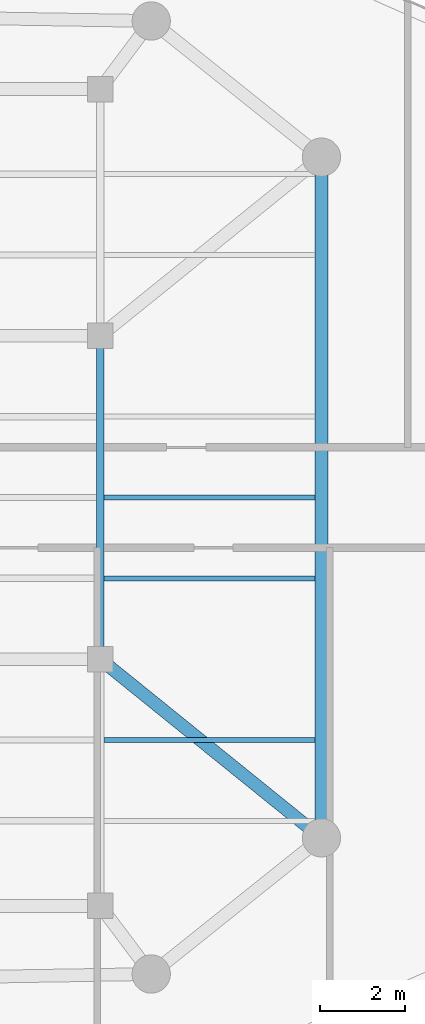
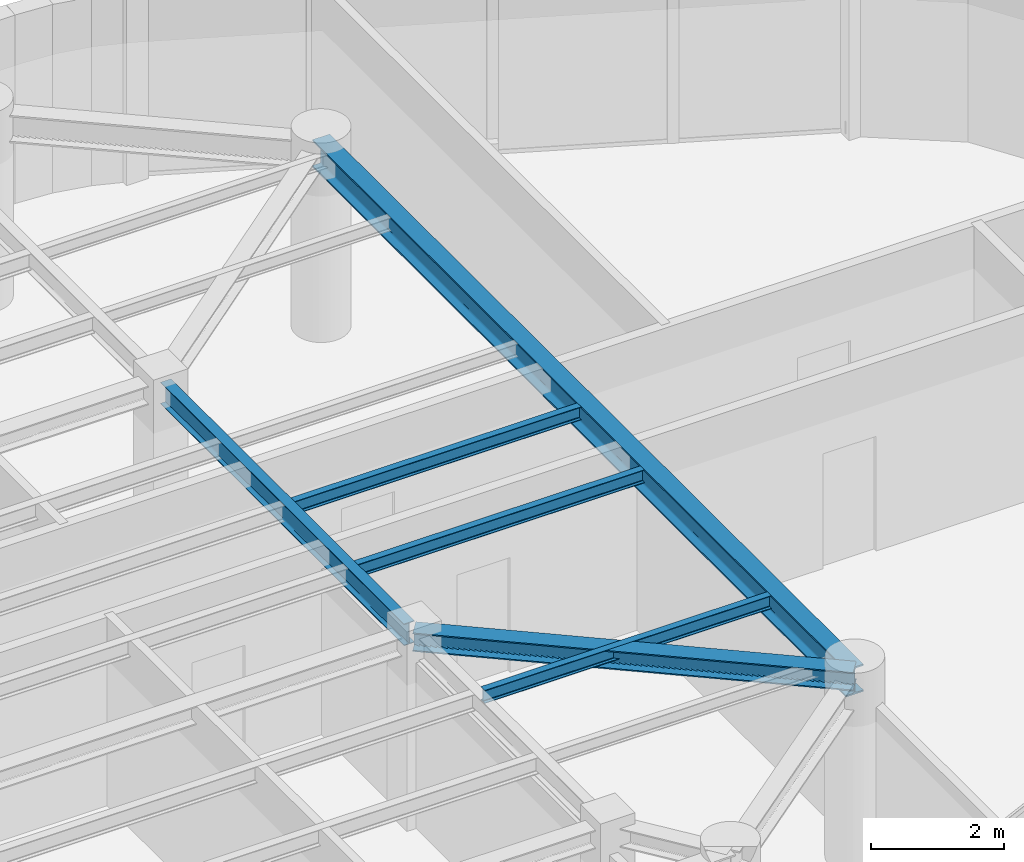
# One storey, part 3 of 14: 6 beams.
"""IFC4 building model written with IfcOpenShell, lengths in metres."""

from ifc_helpers import new_model, si_unit, direction, frame, origin, origin_2d, place, context, subcontext, project, spatial, i_section, extrude, material, material_profile, profile_set, type_object, element, save


model = new_model("IFC4")

# Units and contexts
model_context = context("Model", 3, precision=1e-05, world=origin(), true_north=direction((0.0, 1.0)))
body_context = subcontext(model_context, "Body", "Model", "MODEL_VIEW")
ifc_project = project(units=[si_unit("LENGTHUNIT", "METRE"), si_unit("AREAUNIT", "SQUARE_METRE"), si_unit("VOLUMEUNIT", "CUBIC_METRE"), si_unit("PLANEANGLEUNIT", "RADIAN"), si_unit("MASSUNIT", "GRAM", prefix="KILO")], contexts=[model_context])

# Site, building, storey
site_placement = place(None, origin())
site = spatial("IfcSite", under=ifc_project, at=site_placement, CompositionType="ELEMENT")
building_placement = place(site_placement, origin())
building = spatial("IfcBuilding", under=site, at=building_placement, Name="An Khanh Terracotta Commons", CompositionType="ELEMENT")
storey_placement = place(building_placement, frame((0.0, 0.0, 280.699951171875)))
storey = spatial("IfcBuildingStorey", under=building, at=storey_placement, Name="L73", CompositionType="ELEMENT", Elevation=280.699951171875)

# Beams
ifc_material = material(Name="Steel S355J2", Category="steel")
ifc_material_profile_1 = material_profile(ifc_material, i_section(OverallWidth=0.300048828125, OverallDepth=0.340087890625, WebThickness=0.011962890625, FlangeThickness=0.021484375, FilletRadius=0.027099609375, at=origin_2d()), Name="HEB340")
ifc_profile_set_1 = profile_set([ifc_material_profile_1], Name="Steel S355J2")
beam_type_1 = type_object("IfcBeamType", Name="BM-HEB340", PredefinedType="BEAM", material=ifc_profile_set_1)
beam_1_placement = place(storey_placement, frame((63.39990234375, 16.0, 3.280029296875), z_axis=(-0.777941866883, 0.628336256913, 0.0), x_axis=(-0.628336256913, -0.777941866883, 0.0)))
element("IfcBeam", 1, at=beam_1_placement, inside=storey, type_object=beam_type_1, Name="L73 Mega-Column Tie Girder 3", PredefinedType="BEAM", context=body_context, shape_type="SweptSolid", body=[
    extrude(i_section(OverallWidth=0.300048828125, OverallDepth=0.340087890625, WebThickness=0.011962890625, FlangeThickness=0.021484375, FilletRadius=0.027099609375, at=origin_2d()), origin(), (0.0, 0.0, 1.0), 6.684326171875),
])
ifc_material_profile_2 = material_profile(ifc_material, i_section(OverallWidth=0.300048828125, OverallDepth=0.5, WebThickness=0.014404296875, FlangeThickness=0.028076171875, FilletRadius=0.027099609375, at=origin_2d()), Name="HEB500")
ifc_profile_set_2 = profile_set([ifc_material_profile_2], Name="Steel S355J2")
beam_type_2 = type_object("IfcBeamType", Name="BM-HEB500", PredefinedType="BEAM", material=ifc_profile_set_2)
beam_2_placement = place(storey_placement, frame((63.39990234375, 16.0, 3.199951171875), z_axis=(0.0, 1.0, 0.0), x_axis=(-1.0, 0.0, 0.0)))
element("IfcBeam", 2, at=beam_2_placement, inside=storey, type_object=beam_type_2, Name="L73 Perimeter Ring Spandrel 3", PredefinedType="BEAM", context=body_context, shape_type="SweptSolid", body=[
    extrude(i_section(OverallWidth=0.300048828125, OverallDepth=0.5, WebThickness=0.014404296875, FlangeThickness=0.028076171875, FilletRadius=0.027099609375, at=origin_2d()), origin(), (0.0, 0.0, 1.0), 16.0),
])
ifc_material_profile_3 = material_profile(ifc_material, i_section(OverallWidth=0.1201171875, OverallDepth=0.239990234375, WebThickness=0.006103515625, FlangeThickness=0.009765625, FilletRadius=0.014892578125, at=origin_2d()), Name="IPE240")
ifc_profile_set_3 = profile_set([ifc_material_profile_3], Name="Steel S355J2")
beam_type_3 = type_object("IfcBeamType", Name="BM-IPE240", PredefinedType="JOIST", material=ifc_profile_set_3)
for number, where, z_axis, x_axis, name in (
    (3, (58.2900390625, 18.300048828125, 3.330078125), (1.0, 0.0, 0.0), (0.0, 1.0, 0.0), "L73 Riverfront Composite Joist 2"),
    (4, (58.2900390625, 22.10009765625, 3.330078125), (1.0, 0.0, 0.0), (0.0, 1.0, 0.0), "L73 Riverfront Composite Joist 3"),
    (5, (58.2900390625, 24.0, 3.330078125), (1.0, 0.0, 0.0), (0.0, 1.0, 0.0), "L73 Riverfront Composite Joist 4"),
):
    element("IfcBeam", number, at=place(storey_placement, frame(where, z_axis=z_axis, x_axis=x_axis)), inside=storey, type_object=beam_type_3, Name=name, PredefinedType="JOIST", context=body_context, shape_type="SweptSolid", body=[
        extrude(i_section(OverallWidth=0.1201171875, OverallDepth=0.239990234375, WebThickness=0.006103515625, FlangeThickness=0.009765625, FilletRadius=0.014892578125, at=origin_2d()), origin(), (0.0, 0.0, 1.0), 4.9599609375),
    ])
ifc_material_profile_4 = material_profile(ifc_material, i_section(OverallWidth=0.179931640625, OverallDepth=0.39990234375, WebThickness=0.008544921875, FlangeThickness=0.013427734375, FilletRadius=0.02099609375, at=origin_2d()), Name="IPE400")
ifc_profile_set_4 = profile_set([ifc_material_profile_4], Name="Steel S355J2")
beam_type_4 = type_object("IfcBeamType", Name="BM-IPE400", PredefinedType="JOIST", material=ifc_profile_set_4)
beam_3_placement = place(storey_placement, frame((58.199951171875, 20.35009765625, 3.25), z_axis=(0.0, 1.0, 0.0), x_axis=(-1.0, 0.0, 0.0)))
element("IfcBeam", 6, at=beam_3_placement, inside=storey, type_object=beam_type_4, Name="L73 East Spine Girder 2", PredefinedType="JOIST", context=body_context, shape_type="SweptSolid", body=[
    extrude(i_section(OverallWidth=0.179931640625, OverallDepth=0.39990234375, WebThickness=0.008544921875, FlangeThickness=0.013427734375, FilletRadius=0.02099609375, at=origin_2d()), origin(), (0.0, 0.0, 1.0), 7.2998046875),
])

save(model, "model.ifc")
